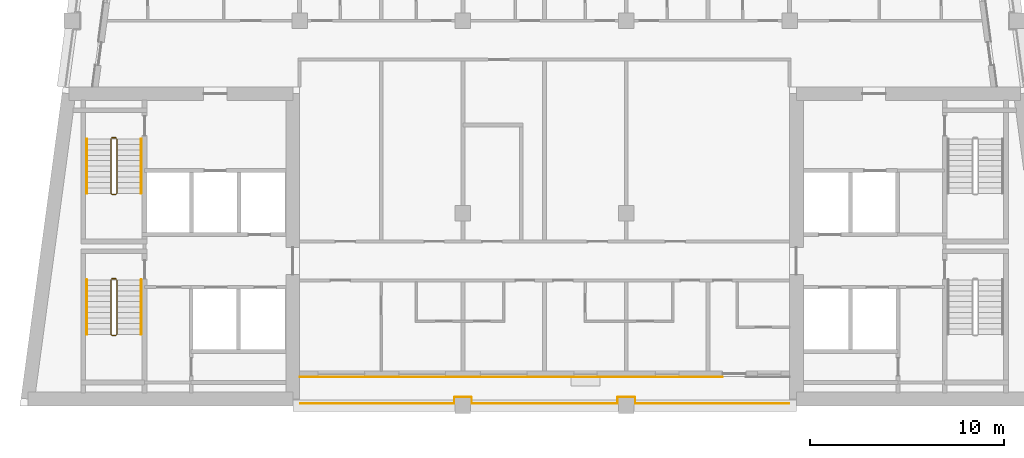
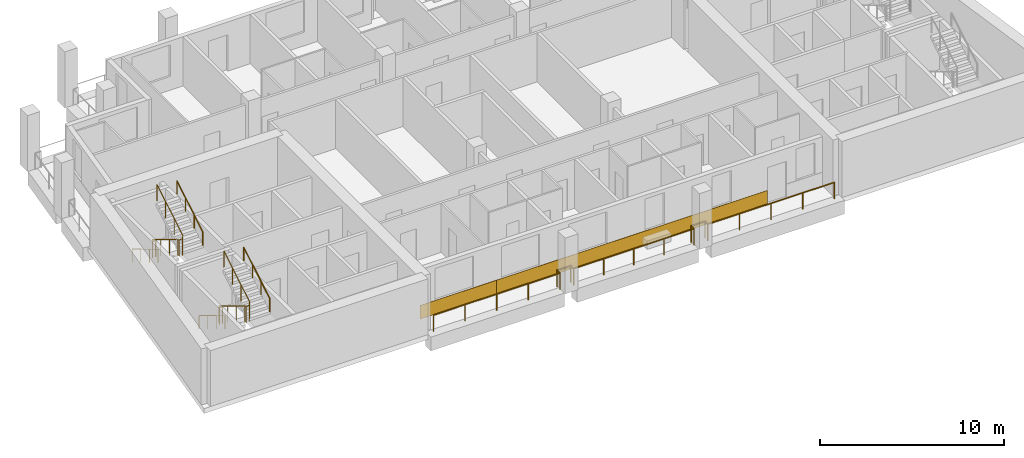
# One storey, part 7 of 10: 9 railings, 2 coverings.
"""IFC4 building model written with IfcOpenShell, lengths in metres."""

from ifc_helpers import new_model, si_unit, direction, frame, origin, origin_2d, place, context, subcontext, project, spatial, rectangle, circle, extrude, material, layer, layer_set, type_object, element, save


model = new_model("IFC4")

# Units and contexts
model_context = context("Model", 3, precision=1e-05, world=origin(), true_north=direction((0.0, 1.0)))
body_context = subcontext(model_context, "Body", "Model", "MODEL_VIEW")
ifc_project = project(units=[si_unit("LENGTHUNIT", "METRE"), si_unit("AREAUNIT", "SQUARE_METRE"), si_unit("VOLUMEUNIT", "CUBIC_METRE"), si_unit("PLANEANGLEUNIT", "RADIAN"), si_unit("MASSUNIT", "GRAM", prefix="KILO")], contexts=[model_context])

# Site, building, storey
site_placement = place(None, origin())
site = spatial("IfcSite", under=ifc_project, at=site_placement, CompositionType="ELEMENT")
building_placement = place(site_placement, origin())
building = spatial("IfcBuilding", under=site, at=building_placement, Name="Candeia Pilgrim Tower and Theatre", CompositionType="ELEMENT")
storey_placement = place(building_placement, frame((0.0, 0.0, 299.699951171875)))
storey = spatial("IfcBuildingStorey", under=building, at=storey_placement, Name="L73", CompositionType="ELEMENT", Elevation=299.699951171875)

# Railing
ifc_material_1 = material(Name="Stainless steel balustrade", Category="steel")
railing_type_1 = type_object("IfcRailingType", Name="G1 loggia guard 1100", PredefinedType="GUARDRAIL", material=ifc_material_1)
railing_1_placement = place(storey_placement, frame((125.949951171875, 116.1201171875, 0.0)))
element("IfcRailing", 1, at=railing_1_placement, inside=storey, type_object=railing_type_1, Name="Guard L73.3", PredefinedType="GUARDRAIL", context=body_context, shape_type="SweptSolid", body=[
    extrude(circle(Radius=0.02392578125, at=origin_2d()), frame((0.0, 0.0, 1.076171875), z_axis=(-1.0, 0.0, 0.0), x_axis=(0.0, -1.0, 0.0)), (0.0, 0.0, 1.0), 7.919921875),
    extrude(circle(Radius=0.02392578125, at=origin_2d()), frame((-7.919921875, 0.0, 1.076171875), z_axis=(0.0, 1.0, 0.0), x_axis=(-1.0, 0.0, 0.0)), (0.0, 0.0, 1.0), 0.309814453125),
    extrude(circle(Radius=0.02392578125, at=origin_2d()), frame((-7.919921875, 0.309814453125, 1.076171875), z_axis=(-1.0, 0.0, 0.0), x_axis=(0.0, -1.0, 0.0)), (0.0, 0.0, 1.0), 0.860107421875),
    extrude(circle(Radius=0.02392578125, at=origin_2d()), frame((-8.780029296875, 0.309814453125, 1.076171875), z_axis=(0.0, -1.0, 0.0), x_axis=(1.0, 0.0, 0.0)), (0.0, 0.0, 1.0), 0.309814453125),
    extrude(circle(Radius=0.02392578125, at=origin_2d()), frame((-8.780029296875, 0.0, 1.076171875), z_axis=(-1.0, 0.0, 0.0), x_axis=(0.0, -1.0, 0.0)), (0.0, 0.0, 1.0), 7.5400390625),
    extrude(circle(Radius=0.02392578125, at=origin_2d()), frame((-16.320068359375, 0.0, 1.076171875), z_axis=(0.0, 1.0, 0.0), x_axis=(-1.0, 0.0, 0.0)), (0.0, 0.0, 1.0), 0.309814453125),
    extrude(circle(Radius=0.02392578125, at=origin_2d()), frame((-16.320068359375, 0.309814453125, 1.076171875), z_axis=(-1.0, 0.0, 0.0), x_axis=(0.0, -1.0, 0.0)), (0.0, 0.0, 1.0), 0.85986328125),
    extrude(circle(Radius=0.02392578125, at=origin_2d()), frame((-17.179931640625, 0.309814453125, 1.076171875), z_axis=(0.0, -1.0, 0.0), x_axis=(1.0, 0.0, 0.0)), (0.0, 0.0, 1.0), 0.309814453125),
    extrude(circle(Radius=0.02392578125, at=origin_2d()), frame((-17.179931640625, 0.0, 1.076171875), z_axis=(-1.0, 0.0, 0.0), x_axis=(0.0, -1.0, 0.0)), (0.0, 0.0, 1.0), 7.919921875),
    extrude(circle(Radius=0.02099609375, at=origin_2d()), origin(), (0.0, 0.0, 1.0), 1.052001953125),
    extrude(circle(Radius=0.02099609375, at=origin_2d()), frame((-1.97998046875, 0.0, 0.0)), (0.0, 0.0, 1.0), 1.052001953125),
    extrude(circle(Radius=0.02099609375, at=origin_2d()), frame((-3.9599609375, 0.0, 0.0)), (0.0, 0.0, 1.0), 1.052001953125),
    extrude(circle(Radius=0.02099609375, at=origin_2d()), frame((-5.93994140625, 0.0, 0.0)), (0.0, 0.0, 1.0), 1.052001953125),
    extrude(circle(Radius=0.02099609375, at=origin_2d()), frame((-7.919921875, 0.0, 0.0)), (0.0, 0.0, 1.0), 1.052001953125),
    extrude(circle(Radius=0.02099609375, at=origin_2d()), frame((-7.919921875, 0.309814453125, 0.0)), (0.0, 0.0, 1.0), 1.052001953125),
    extrude(circle(Radius=0.02099609375, at=origin_2d()), frame((-8.780029296875, 0.309814453125, 0.0)), (0.0, 0.0, 1.0), 1.052001953125),
    extrude(circle(Radius=0.02099609375, at=origin_2d()), frame((-8.780029296875, 0.0, 0.0)), (0.0, 0.0, 1.0), 1.052001953125),
    extrude(circle(Radius=0.02099609375, at=origin_2d()), frame((-10.6650390625, 0.0, 0.0)), (0.0, 0.0, 1.0), 1.052001953125),
    extrude(circle(Radius=0.02099609375, at=origin_2d()), frame((-12.550048828125, 0.0, 0.0)), (0.0, 0.0, 1.0), 1.052001953125),
    extrude(circle(Radius=0.02099609375, at=origin_2d()), frame((-14.43505859375, 0.0, 0.0)), (0.0, 0.0, 1.0), 1.052001953125),
    extrude(circle(Radius=0.02099609375, at=origin_2d()), frame((-16.320068359375, 0.0, 0.0)), (0.0, 0.0, 1.0), 1.052001953125),
    extrude(circle(Radius=0.02099609375, at=origin_2d()), frame((-16.320068359375, 0.309814453125, 0.0)), (0.0, 0.0, 1.0), 1.052001953125),
    extrude(circle(Radius=0.02099609375, at=origin_2d()), frame((-17.179931640625, 0.309814453125, 0.0)), (0.0, 0.0, 1.0), 1.052001953125),
    extrude(circle(Radius=0.02099609375, at=origin_2d()), frame((-17.179931640625, 0.0, 0.0)), (0.0, 0.0, 1.0), 1.052001953125),
    extrude(circle(Radius=0.02099609375, at=origin_2d()), frame((-19.159912109375, 0.0, 0.0)), (0.0, 0.0, 1.0), 1.052001953125),
    extrude(circle(Radius=0.02099609375, at=origin_2d()), frame((-21.139892578125, 0.0, 0.0)), (0.0, 0.0, 1.0), 1.052001953125),
    extrude(circle(Radius=0.02099609375, at=origin_2d()), frame((-23.119873046875, 0.0, 0.0)), (0.0, 0.0, 1.0), 1.052001953125),
    extrude(circle(Radius=0.02099609375, at=origin_2d()), frame((-25.099853515625, 0.0, 0.0)), (0.0, 0.0, 1.0), 1.052001953125),
])

# Coverings
ifc_material_2 = material(Name="Glazed ceramic tile bottle green")
ifc_layer_1 = layer(ifc_material_2, 0.02001953125)
ifc_layer_set_1 = layer_set([ifc_layer_1], Name="Glazed ceramic tile bottle green")
covering_type_1 = type_object("IfcCoveringType", Name="Glazed ceramic tile bottle green", PredefinedType="CLADDING", material=ifc_layer_set_1)
covering_1_placement = place(storey_placement, frame((103.199951171875, 117.489990234375, 0.0), z_axis=(0.0, 0.0, 1.0), x_axis=(1.0, 0.0, 0.0)))
element("IfcCovering", 2, at=covering_1_placement, inside=storey, type_object=covering_type_1, Name="Tile cladding bottle green L73", PredefinedType="CLADDING", context=body_context, shape_type="SweptSolid", body=[
    extrude(rectangle(XDim=4.800048828125, YDim=0.02001953125, at=origin_2d()), origin(), (0.0, 0.0, 1.0), 0.89990234375),
])
ifc_material_3 = material(Name="Glazed ceramic tile rust")
ifc_layer_2 = layer(ifc_material_3, 0.02001953125)
ifc_layer_set_2 = layer_set([ifc_layer_2], Name="Glazed ceramic tile rust")
covering_type_2 = type_object("IfcCoveringType", Name="Glazed ceramic tile rust", PredefinedType="CLADDING", material=ifc_layer_set_2)
covering_2_placement = place(storey_placement, frame((114.074951171875, 117.489990234375, 0.0), z_axis=(0.0, 0.0, 1.0), x_axis=(1.0, 0.0, 0.0)))
element("IfcCovering", 3, at=covering_2_placement, inside=storey, type_object=covering_type_2, Name="Tile cladding rust L73", PredefinedType="CLADDING", context=body_context, shape_type="SweptSolid", body=[
    extrude(rectangle(XDim=16.949951171875, YDim=0.02001953125, at=origin_2d()), origin(), (0.0, 0.0, 1.0), 0.89990234375),
])

# Railings
railing_type_2 = type_object("IfcRailingType", Name="RL-GUARD-1100", PredefinedType="GUARDRAIL", material=ifc_material_1)
railing_2_placement = place(storey_placement, frame((91.10205078125, 122.47509765625, 0.168212890625)))
element("IfcRailing", 4, at=railing_2_placement, inside=storey, type_object=railing_type_2, Name="L73 ST1 stair guard 1", PredefinedType="GUARDRAIL", context=body_context, shape_type="SweptSolid", body=[
    extrude(circle(Radius=0.02392578125, at=origin_2d()), frame((0.0, 0.0, 1.076171875), z_axis=(0.0, -0.857242210791, 0.514913383045), x_axis=(1.0, 0.0, 0.0)), (0.0, 0.0, 1.0), 3.266357421875),
    extrude(circle(Radius=0.02392578125, at=origin_2d()), frame((0.0, -2.800048828125, 2.7578125), z_axis=(0.707106781187, -0.707106781187, 0.0), x_axis=(0.707106781187, 0.707106781187, 0.0)), (0.0, 0.0, 1.0), 0.07080078125),
    extrude(circle(Radius=0.02392578125, at=origin_2d()), frame((0.050048828125, -2.85009765625, 2.7578125), z_axis=(1.0, 0.0, 0.0), x_axis=(0.0, 1.0, 0.0)), (0.0, 0.0, 1.0), 0.199951171875),
    extrude(circle(Radius=0.02392578125, at=origin_2d()), frame((0.25, -2.85009765625, 2.7578125), z_axis=(0.274243871929, 0.274243871929, 0.92172696468), x_axis=(-0.707106781187, 0.707106781187, 0.0)), (0.0, 0.0, 1.0), 0.1826171875),
    extrude(circle(Radius=0.02392578125, at=origin_2d()), frame((0.300048828125, -2.800048828125, 2.92626953125), z_axis=(0.0, 0.857275202839, 0.514858452973), x_axis=(-1.0, 0.0, 0.0)), (0.0, 0.0, 1.0), 3.26611328125),
    extrude(circle(Radius=0.02099609375, at=origin_2d()), origin(), (0.0, 0.0, 1.0), 1.052001953125),
    extrude(circle(Radius=0.02099609375, at=origin_2d()), frame((0.0, -0.933349609375, 0.560546875)), (0.0, 0.0, 1.0), 1.052001953125),
    extrude(circle(Radius=0.02099609375, at=origin_2d()), frame((0.0, -1.86669921875, 1.121337890625)), (0.0, 0.0, 1.0), 1.052001953125),
    extrude(circle(Radius=0.02099609375, at=origin_2d()), frame((0.0, -2.800048828125, 1.681884765625)), (0.0, 0.0, 1.0), 1.052001953125),
    extrude(circle(Radius=0.02099609375, at=origin_2d()), frame((0.050048828125, -2.85009765625, 1.681884765625)), (0.0, 0.0, 1.0), 1.052001953125),
    extrude(circle(Radius=0.02099609375, at=origin_2d()), frame((0.25, -2.85009765625, 1.681884765625)), (0.0, 0.0, 1.0), 1.052001953125),
    extrude(circle(Radius=0.02099609375, at=origin_2d()), frame((0.300048828125, -2.800048828125, 1.85009765625)), (0.0, 0.0, 1.0), 1.052001953125),
    extrude(circle(Radius=0.02099609375, at=origin_2d()), frame((0.300048828125, -1.86669921875, 2.41064453125)), (0.0, 0.0, 1.0), 1.052001953125),
    extrude(circle(Radius=0.02099609375, at=origin_2d()), frame((0.300048828125, -0.933349609375, 2.97119140625)), (0.0, 0.0, 1.0), 1.052001953125),
    extrude(circle(Radius=0.02099609375, at=origin_2d()), frame((0.300048828125, 0.0, 3.53173828125)), (0.0, 0.0, 1.0), 1.052001953125),
])
railing_3_placement = place(storey_placement, frame((91.152099609375, 122.52490234375, 0.0)))
element("IfcRailing", 5, at=railing_3_placement, inside=storey, type_object=railing_type_2, Name="L73 ST1 stair guard 2", PredefinedType="GUARDRAIL", context=body_context, shape_type="SweptSolid", body=[
    extrude(circle(Radius=0.02392578125, at=origin_2d()), frame((0.0, 0.0, 1.076171875), z_axis=(1.0, 0.0, 0.0), x_axis=(0.0, 1.0, 0.0)), (0.0, 0.0, 1.0), 0.199951171875),
    extrude(circle(Radius=0.02099609375, at=origin_2d()), origin(), (0.0, 0.0, 1.0), 1.052001953125),
    extrude(circle(Radius=0.02099609375, at=origin_2d()), frame((0.199951171875, 0.0, 0.0)), (0.0, 0.0, 1.0), 1.052001953125),
])
railing_4_placement = place(storey_placement, frame((91.10205078125, 129.72509765625, 0.168212890625)))
element("IfcRailing", 6, at=railing_4_placement, inside=storey, type_object=railing_type_2, Name="L73 ST2 stair guard 1", PredefinedType="GUARDRAIL", context=body_context, shape_type="SweptSolid", body=[
    extrude(circle(Radius=0.02392578125, at=origin_2d()), frame((0.0, 0.0, 1.076171875), z_axis=(0.0, -0.857242210791, 0.514913383045), x_axis=(1.0, 0.0, 0.0)), (0.0, 0.0, 1.0), 3.266357421875),
    extrude(circle(Radius=0.02392578125, at=origin_2d()), frame((0.0, -2.800048828125, 2.7578125), z_axis=(0.707106781187, -0.707106781187, 0.0), x_axis=(0.707106781187, 0.707106781187, 0.0)), (0.0, 0.0, 1.0), 0.07080078125),
    extrude(circle(Radius=0.02392578125, at=origin_2d()), frame((0.050048828125, -2.85009765625, 2.7578125), z_axis=(1.0, 0.0, 0.0), x_axis=(0.0, 1.0, 0.0)), (0.0, 0.0, 1.0), 0.199951171875),
    extrude(circle(Radius=0.02392578125, at=origin_2d()), frame((0.25, -2.85009765625, 2.7578125), z_axis=(0.274243871929, 0.274243871929, 0.92172696468), x_axis=(-0.707106781187, 0.707106781187, 0.0)), (0.0, 0.0, 1.0), 0.1826171875),
    extrude(circle(Radius=0.02392578125, at=origin_2d()), frame((0.300048828125, -2.800048828125, 2.92626953125), z_axis=(0.0, 0.857275202839, 0.514858452973), x_axis=(-1.0, 0.0, 0.0)), (0.0, 0.0, 1.0), 3.26611328125),
    extrude(circle(Radius=0.02099609375, at=origin_2d()), origin(), (0.0, 0.0, 1.0), 1.052001953125),
    extrude(circle(Radius=0.02099609375, at=origin_2d()), frame((0.0, -0.933349609375, 0.560546875)), (0.0, 0.0, 1.0), 1.052001953125),
    extrude(circle(Radius=0.02099609375, at=origin_2d()), frame((0.0, -1.86669921875, 1.121337890625)), (0.0, 0.0, 1.0), 1.052001953125),
    extrude(circle(Radius=0.02099609375, at=origin_2d()), frame((0.0, -2.800048828125, 1.681884765625)), (0.0, 0.0, 1.0), 1.052001953125),
    extrude(circle(Radius=0.02099609375, at=origin_2d()), frame((0.050048828125, -2.85009765625, 1.681884765625)), (0.0, 0.0, 1.0), 1.052001953125),
    extrude(circle(Radius=0.02099609375, at=origin_2d()), frame((0.25, -2.85009765625, 1.681884765625)), (0.0, 0.0, 1.0), 1.052001953125),
    extrude(circle(Radius=0.02099609375, at=origin_2d()), frame((0.300048828125, -2.800048828125, 1.85009765625)), (0.0, 0.0, 1.0), 1.052001953125),
    extrude(circle(Radius=0.02099609375, at=origin_2d()), frame((0.300048828125, -1.86669921875, 2.41064453125)), (0.0, 0.0, 1.0), 1.052001953125),
    extrude(circle(Radius=0.02099609375, at=origin_2d()), frame((0.300048828125, -0.933349609375, 2.97119140625)), (0.0, 0.0, 1.0), 1.052001953125),
    extrude(circle(Radius=0.02099609375, at=origin_2d()), frame((0.300048828125, 0.0, 3.53173828125)), (0.0, 0.0, 1.0), 1.052001953125),
])
railing_5_placement = place(storey_placement, frame((91.152099609375, 129.77490234375, 0.0)))
element("IfcRailing", 7, at=railing_5_placement, inside=storey, type_object=railing_type_2, Name="L73 ST2 stair guard 2", PredefinedType="GUARDRAIL", context=body_context, shape_type="SweptSolid", body=[
    extrude(circle(Radius=0.02392578125, at=origin_2d()), frame((0.0, 0.0, 1.076171875), z_axis=(1.0, 0.0, 0.0), x_axis=(0.0, 1.0, 0.0)), (0.0, 0.0, 1.0), 0.199951171875),
    extrude(circle(Radius=0.02099609375, at=origin_2d()), origin(), (0.0, 0.0, 1.0), 1.052001953125),
    extrude(circle(Radius=0.02099609375, at=origin_2d()), frame((0.199951171875, 0.0, 0.0)), (0.0, 0.0, 1.0), 1.052001953125),
])
ifc_material_4 = material(Name="Stainless steel handrail", Category="steel")
railing_type_3 = type_object("IfcRailingType", Name="RL-HANDRAIL-900", PredefinedType="HANDRAIL", material=ifc_material_4)
railing_6_placement = place(storey_placement, frame((89.85205078125, 122.47509765625, 0.168212890625)))
element("IfcRailing", 8, at=railing_6_placement, inside=storey, type_object=railing_type_3, Name="L73 ST1 stair handrail 1", PredefinedType="HANDRAIL", context=body_context, shape_type="SweptSolid", body=[
    extrude(circle(Radius=0.02392578125, at=origin_2d()), frame((0.0, 0.0, 0.8759765625), z_axis=(0.0, -0.857242210791, 0.514913383045), x_axis=(1.0, 0.0, 0.0)), (0.0, 0.0, 1.0), 3.266357421875),
    extrude(circle(Radius=0.02099609375, at=origin_2d()), origin(), (0.0, 0.0, 1.0), 0.851806640625),
    extrude(circle(Radius=0.02099609375, at=origin_2d()), frame((0.0, -0.933349609375, 0.560546875)), (0.0, 0.0, 1.0), 0.851806640625),
    extrude(circle(Radius=0.02099609375, at=origin_2d()), frame((0.0, -1.86669921875, 1.121337890625)), (0.0, 0.0, 1.0), 0.851806640625),
    extrude(circle(Radius=0.02099609375, at=origin_2d()), frame((0.0, -2.800048828125, 1.681884765625)), (0.0, 0.0, 1.0), 0.851806640625),
])
railing_7_placement = place(storey_placement, frame((92.652099609375, 119.675048828125, 2.018310546875)))
element("IfcRailing", 9, at=railing_7_placement, inside=storey, type_object=railing_type_3, Name="L73 ST1 stair handrail 2", PredefinedType="HANDRAIL", context=body_context, shape_type="SweptSolid", body=[
    extrude(circle(Radius=0.02392578125, at=origin_2d()), frame((0.0, 0.0, 0.8759765625), z_axis=(0.0, 0.857275202839, 0.514858452973), x_axis=(-1.0, 0.0, 0.0)), (0.0, 0.0, 1.0), 3.26611328125),
    extrude(circle(Radius=0.02099609375, at=origin_2d()), origin(), (0.0, 0.0, 1.0), 0.851806640625),
    extrude(circle(Radius=0.02099609375, at=origin_2d()), frame((0.0, 0.933349609375, 0.560546875)), (0.0, 0.0, 1.0), 0.851806640625),
    extrude(circle(Radius=0.02099609375, at=origin_2d()), frame((0.0, 1.86669921875, 1.12109375)), (0.0, 0.0, 1.0), 0.851806640625),
    extrude(circle(Radius=0.02099609375, at=origin_2d()), frame((0.0, 2.800048828125, 1.681640625)), (0.0, 0.0, 1.0), 0.851806640625),
])
railing_8_placement = place(storey_placement, frame((89.85205078125, 129.72509765625, 0.168212890625)))
element("IfcRailing", 10, at=railing_8_placement, inside=storey, type_object=railing_type_3, Name="L73 ST2 stair handrail 1", PredefinedType="HANDRAIL", context=body_context, shape_type="SweptSolid", body=[
    extrude(circle(Radius=0.02392578125, at=origin_2d()), frame((0.0, 0.0, 0.8759765625), z_axis=(0.0, -0.857242210791, 0.514913383045), x_axis=(1.0, 0.0, 0.0)), (0.0, 0.0, 1.0), 3.266357421875),
    extrude(circle(Radius=0.02099609375, at=origin_2d()), origin(), (0.0, 0.0, 1.0), 0.851806640625),
    extrude(circle(Radius=0.02099609375, at=origin_2d()), frame((0.0, -0.933349609375, 0.560546875)), (0.0, 0.0, 1.0), 0.851806640625),
    extrude(circle(Radius=0.02099609375, at=origin_2d()), frame((0.0, -1.86669921875, 1.121337890625)), (0.0, 0.0, 1.0), 0.851806640625),
    extrude(circle(Radius=0.02099609375, at=origin_2d()), frame((0.0, -2.800048828125, 1.681884765625)), (0.0, 0.0, 1.0), 0.851806640625),
])
railing_9_placement = place(storey_placement, frame((92.652099609375, 126.925048828125, 2.018310546875)))
element("IfcRailing", 11, at=railing_9_placement, inside=storey, type_object=railing_type_3, Name="L73 ST2 stair handrail 2", PredefinedType="HANDRAIL", context=body_context, shape_type="SweptSolid", body=[
    extrude(circle(Radius=0.02392578125, at=origin_2d()), frame((0.0, 0.0, 0.8759765625), z_axis=(0.0, 0.857275202839, 0.514858452973), x_axis=(-1.0, 0.0, 0.0)), (0.0, 0.0, 1.0), 3.26611328125),
    extrude(circle(Radius=0.02099609375, at=origin_2d()), origin(), (0.0, 0.0, 1.0), 0.851806640625),
    extrude(circle(Radius=0.02099609375, at=origin_2d()), frame((0.0, 0.933349609375, 0.560546875)), (0.0, 0.0, 1.0), 0.851806640625),
    extrude(circle(Radius=0.02099609375, at=origin_2d()), frame((0.0, 1.86669921875, 1.12109375)), (0.0, 0.0, 1.0), 0.851806640625),
    extrude(circle(Radius=0.02099609375, at=origin_2d()), frame((0.0, 2.800048828125, 1.681640625)), (0.0, 0.0, 1.0), 0.851806640625),
])

save(model, "model.ifc")
